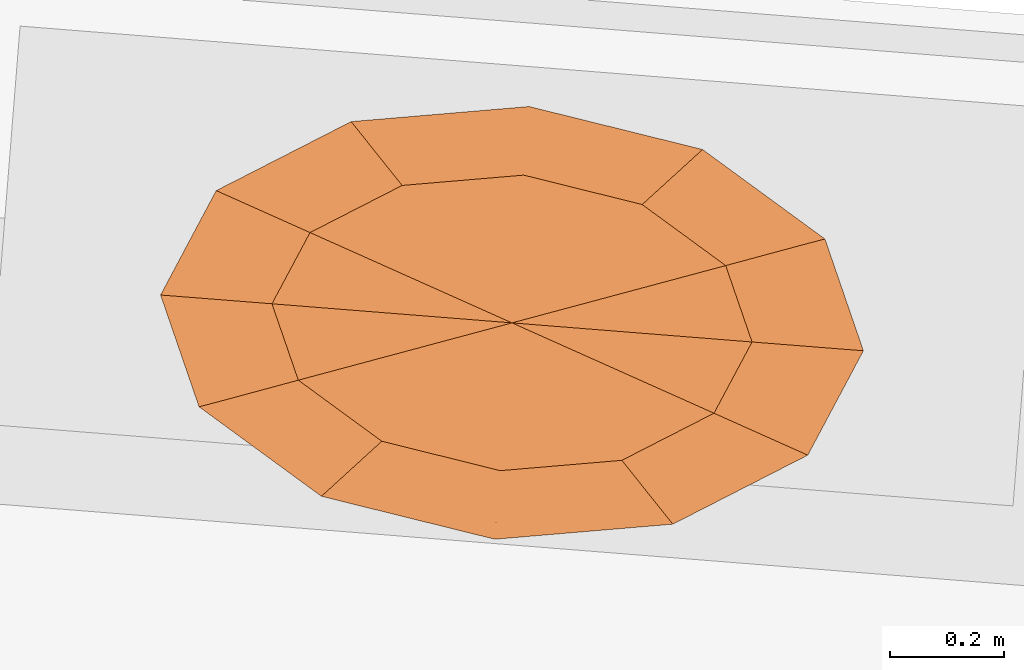
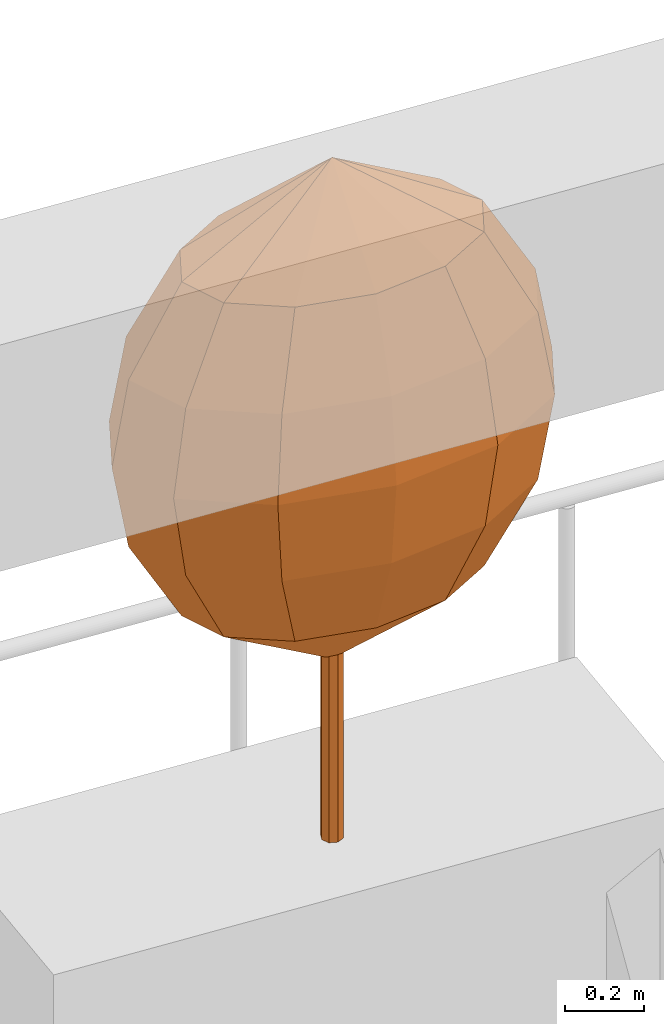
# One storey, part 12 of 12: 1 geographic element.
"""IFC4 building model written with IfcOpenShell, lengths in metres."""

from ifc_helpers import new_model, si_unit, direction, frame, origin, place, context, subcontext, project, spatial, faceted_brep, material, constituent, constituent_set, type_object, element, save


model = new_model("IFC4")

# Units and contexts
model_context = context("Model", 3, precision=1e-05, world=origin(), true_north=direction((0.0, 1.0)))
body_context = subcontext(model_context, "Body", "Model", "MODEL_VIEW")
ifc_project = project(units=[si_unit("LENGTHUNIT", "METRE"), si_unit("AREAUNIT", "SQUARE_METRE"), si_unit("VOLUMEUNIT", "CUBIC_METRE"), si_unit("PLANEANGLEUNIT", "RADIAN"), si_unit("MASSUNIT", "GRAM", prefix="KILO")], contexts=[model_context])

# Site, building, storey
site_placement = place(None, origin())
site = spatial("IfcSite", under=ifc_project, at=site_placement, CompositionType="ELEMENT")
building_placement = place(site_placement, origin())
building = spatial("IfcBuilding", under=site, at=building_placement, Name="Taillehof Tower", CompositionType="ELEMENT")
storey_placement = place(building_placement, frame((0.0, 0.0, 131.800048828125)))
storey = spatial("IfcBuildingStorey", under=building, at=storey_placement, Name="L37", CompositionType="ELEMENT", Elevation=131.800048828125)

# Geographic element
ifc_material_1 = material(Name="Tree bark", Category="timber")
ifc_constituent_1 = constituent(ifc_material_1, Name="Trunk", Category="timber")
ifc_material_2 = material(Name="Tree foliage")
ifc_constituent_2 = constituent(ifc_material_2, Name="Crown")
ifc_constituent_set = constituent_set(constituents=[ifc_constituent_1, ifc_constituent_2], Name="Tree TR1 Columnar hornbeam")
geographic_element_type = type_object("IfcGeographicElementType", Name="Tree TR1 Columnar hornbeam", PredefinedType="USERDEFINED", material=ifc_constituent_set)
geographic_element_placement = place(storey_placement, frame((3.072998046875, 23.007568359375, 0.75)))
element("IfcGeographicElement", 1, at=geographic_element_placement, inside=storey, type_object=geographic_element_type, Name="Tree TR1 Columnar hornbeam", ObjectType="TREE", PredefinedType="USERDEFINED", context=body_context, shape_type="Brep", body=[
    faceted_brep([(0.030029296875, 0.0, 0.0), (0.021240234375, 0.021240234375, 0.0), (0.021240234375, 0.021240234375, 1.092529296875), (0.030029296875, 0.0, 1.092529296875), (0.0, 0.030029296875, 0.0), (0.0, 0.030029296875, 1.092529296875), (-0.021240234375, 0.021240234375, 0.0), (-0.021240234375, 0.021240234375, 1.092529296875), (-0.030029296875, 0.0, 0.0), (-0.030029296875, 0.0, 1.092529296875), (-0.021240234375, -0.021240234375, 0.0), (-0.021240234375, -0.021240234375, 1.092529296875), (0.0, -0.030029296875, 0.0), (0.0, -0.030029296875, 1.092529296875), (0.021240234375, -0.021240234375, 0.0), (0.021240234375, -0.021240234375, 1.092529296875)], [[[0, 1, 2, 3]], [[1, 4, 5, 2]], [[4, 6, 7, 5]], [[6, 8, 9, 7]], [[8, 10, 11, 9]], [[10, 12, 13, 11]], [[12, 14, 15, 13]], [[14, 0, 3, 15]], [[14, 12, 10, 8, 6, 4, 1, 0]], [[3, 2, 5, 7, 9, 11, 13, 15]]]),
    faceted_brep([(0.0, 0.0, 0.550048828125), (-0.374267578125, -0.100341796875, 0.808349609375), (-0.42041015625, 0.033447265625, 0.808349609375), (-0.22802734375, -0.207275390625, 0.808349609375), (-0.0205078125, -0.2587890625, 0.808349609375), (0.1923828125, -0.24072265625, 0.808349609375), (0.353759765625, -0.158203125, 0.808349609375), (0.42041015625, -0.033447265625, 0.808349609375), (0.374267578125, 0.100341796875, 0.808349609375), (0.22802734375, 0.207275390625, 0.808349609375), (0.0205078125, 0.2587890625, 0.808349609375), (-0.1923828125, 0.24072265625, 0.808349609375), (-0.353759765625, 0.158203125, 0.808349609375), (-0.50634765625, -0.135986328125, 1.066650390625), (-0.56884765625, 0.045166015625, 1.066650390625), (-0.308349609375, -0.280517578125, 1.066650390625), (-0.02783203125, -0.35009765625, 1.066650390625), (0.26025390625, -0.32568359375, 1.066650390625), (0.478759765625, -0.214111328125, 1.066650390625), (0.56884765625, -0.045166015625, 1.066650390625), (0.50634765625, 0.135986328125, 1.066650390625), (0.308349609375, 0.280517578125, 1.066650390625), (0.02783203125, 0.35009765625, 1.066650390625), (-0.26025390625, 0.32568359375, 1.066650390625), (-0.478759765625, 0.214111328125, 1.066650390625), (-0.548095703125, -0.14697265625, 1.324951171875), (-0.615478515625, 0.048828125, 1.324951171875), (-0.333740234375, -0.3037109375, 1.324951171875), (-0.030029296875, -0.37890625, 1.324951171875), (0.28173828125, -0.3525390625, 1.324951171875), (0.51806640625, -0.231689453125, 1.324951171875), (0.615478515625, -0.048828125, 1.324951171875), (0.548095703125, 0.14697265625, 1.324951171875), (0.333740234375, 0.3037109375, 1.324951171875), (0.030029296875, 0.37890625, 1.324951171875), (-0.28173828125, 0.3525390625, 1.324951171875), (-0.51806640625, 0.231689453125, 1.324951171875), (-0.50634765625, -0.135986328125, 1.583251953125), (-0.56884765625, 0.045166015625, 1.583251953125), (-0.308349609375, -0.280517578125, 1.583251953125), (-0.02783203125, -0.35009765625, 1.583251953125), (0.26025390625, -0.32568359375, 1.583251953125), (0.478759765625, -0.214111328125, 1.583251953125), (0.56884765625, -0.045166015625, 1.583251953125), (0.50634765625, 0.135986328125, 1.583251953125), (0.308349609375, 0.280517578125, 1.583251953125), (0.02783203125, 0.35009765625, 1.583251953125), (-0.26025390625, 0.32568359375, 1.583251953125), (-0.478759765625, 0.214111328125, 1.583251953125), (-0.374267578125, -0.100341796875, 1.841552734375), (-0.42041015625, 0.033447265625, 1.841552734375), (-0.22802734375, -0.207275390625, 1.841552734375), (-0.0205078125, -0.2587890625, 1.841552734375), (0.1923828125, -0.24072265625, 1.841552734375), (0.353759765625, -0.158203125, 1.841552734375), (0.42041015625, -0.033447265625, 1.841552734375), (0.374267578125, 0.100341796875, 1.841552734375), (0.22802734375, 0.207275390625, 1.841552734375), (0.0205078125, 0.2587890625, 1.841552734375), (-0.1923828125, 0.24072265625, 1.841552734375), (-0.353759765625, 0.158203125, 1.841552734375), (0.0, 0.0, 2.10009765625)], [[[0, 1, 2]], [[0, 3, 1]], [[0, 4, 3]], [[0, 5, 4]], [[0, 6, 5]], [[0, 7, 6]], [[0, 8, 7]], [[0, 9, 8]], [[0, 10, 9]], [[0, 11, 10]], [[0, 12, 11]], [[0, 2, 12]], [[2, 1, 13, 14]], [[1, 3, 15, 13]], [[3, 4, 16, 15]], [[4, 5, 17, 16]], [[5, 6, 18, 17]], [[6, 7, 19, 18]], [[7, 8, 20, 19]], [[8, 9, 21, 20]], [[9, 10, 22, 21]], [[10, 11, 23, 22]], [[11, 12, 24, 23]], [[12, 2, 14, 24]], [[14, 13, 25, 26]], [[13, 15, 27, 25]], [[15, 16, 28, 27]], [[16, 17, 29, 28]], [[17, 18, 30, 29]], [[18, 19, 31, 30]], [[19, 20, 32, 31]], [[20, 21, 33, 32]], [[21, 22, 34, 33]], [[22, 23, 35, 34]], [[23, 24, 36, 35]], [[24, 14, 26, 36]], [[26, 25, 37, 38]], [[25, 27, 39, 37]], [[27, 28, 40, 39]], [[28, 29, 41, 40]], [[29, 30, 42, 41]], [[30, 31, 43, 42]], [[31, 32, 44, 43]], [[32, 33, 45, 44]], [[33, 34, 46, 45]], [[34, 35, 47, 46]], [[35, 36, 48, 47]], [[36, 26, 38, 48]], [[38, 37, 49, 50]], [[37, 39, 51, 49]], [[39, 40, 52, 51]], [[40, 41, 53, 52]], [[41, 42, 54, 53]], [[42, 43, 55, 54]], [[43, 44, 56, 55]], [[44, 45, 57, 56]], [[45, 46, 58, 57]], [[46, 47, 59, 58]], [[47, 48, 60, 59]], [[48, 38, 50, 60]], [[50, 49, 61]], [[49, 51, 61]], [[51, 52, 61]], [[52, 53, 61]], [[53, 54, 61]], [[54, 55, 61]], [[55, 56, 61]], [[56, 57, 61]], [[57, 58, 61]], [[58, 59, 61]], [[59, 60, 61]], [[60, 50, 61]]]),
])

save(model, "model.ifc")
